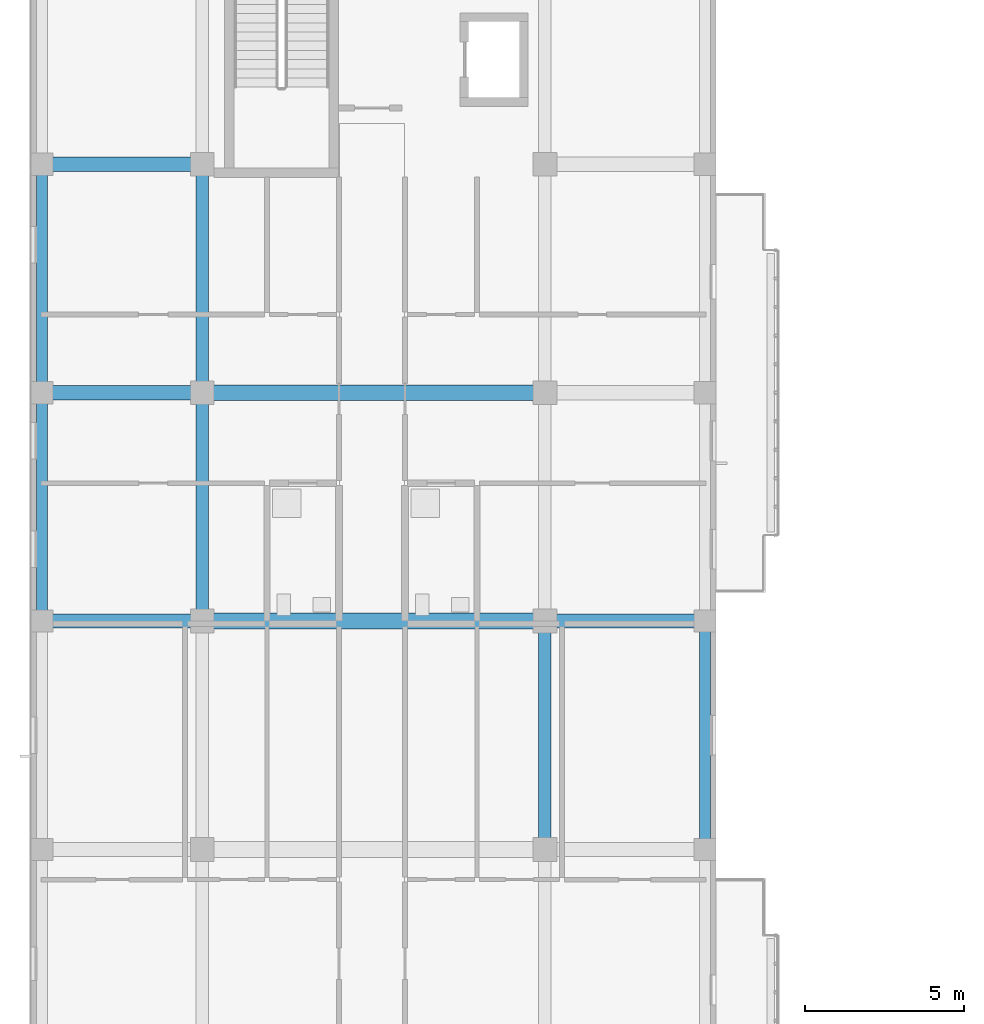
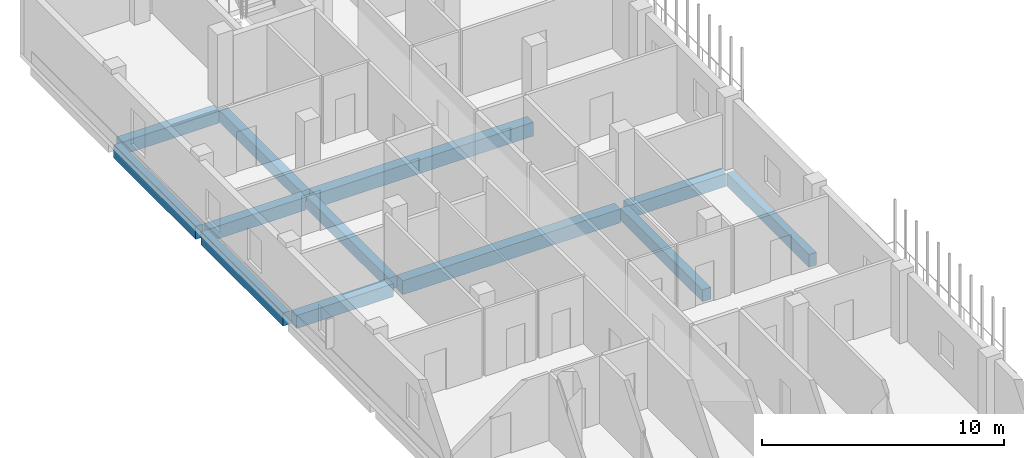
# One storey, part 17 of 73: 12 beams.
"""IFC4 building model written with IfcOpenShell, lengths in metres."""

from ifc_helpers import new_model, si_unit, derived_unit, direction, frame, origin, origin_2d, place, context, subcontext, project, spatial, rectangle, extrude, material, material_profile, profile_set, type_object, element, save


model = new_model("IFC4")

# Units and contexts
model_context = context("Model", 3, precision=1e-05, world=origin(), true_north=direction((0.0, 1.0)))
body_context = subcontext(model_context, "Body", "Model", "MODEL_VIEW")
ifc_project = project(units=[si_unit("LENGTHUNIT", "METRE"), si_unit("AREAUNIT", "SQUARE_METRE"), si_unit("VOLUMEUNIT", "CUBIC_METRE"), si_unit("PLANEANGLEUNIT", "RADIAN"), si_unit("MASSUNIT", "GRAM", prefix="KILO"), derived_unit("THERMALTRANSMITTANCEUNIT", [(si_unit("MASSUNIT", "GRAM", prefix="KILO"), 1), (si_unit("TIMEUNIT", "SECOND"), -3), (si_unit("THERMODYNAMICTEMPERATUREUNIT", "KELVIN"), -1)])], contexts=[model_context])

# Site, building, storey
site_placement = place(None, origin())
site = spatial("IfcSite", under=ifc_project, at=site_placement, CompositionType="ELEMENT")
building_placement = place(site_placement, origin())
building = spatial("IfcBuilding", under=site, at=building_placement, Name="Ochrekiln Boulevard Commons", CompositionType="ELEMENT")
storey_placement = place(building_placement, frame((0.0, 0.0, 4.89990234375)))
storey = spatial("IfcBuildingStorey", under=building, at=storey_placement, Name="L01", CompositionType="ELEMENT", Elevation=4.89990234375)

# Beams
ifc_material_1 = material(Name="Concrete C35/45", Category="concrete")
ifc_material_profile_1 = material_profile(ifc_material_1, rectangle(XDim=0.39990234375, YDim=0.60009765625, at=origin_2d()), Name="RC-BM-400x600")
ifc_profile_set_1 = profile_set([ifc_material_profile_1], Name="Concrete C35/45")
beam_type_1 = type_object("IfcBeamType", Name="BM-RC-400x600", PredefinedType="BEAM", material=ifc_profile_set_1)
beam_1_placement = place(storey_placement, frame((5.39990234375, 97.409912109375, -0.559814453125), z_axis=(0.0, 1.0, 0.0), x_axis=(-1.0, 0.0, 0.0)))
element("IfcBeam", 1, at=beam_1_placement, inside=storey, type_object=beam_type_1, Name="Block A L01 Beam B-4060 Y34", PredefinedType="BEAM", context=body_context, shape_type="SweptSolid", body=[
    extrude(rectangle(XDim=0.39990234375, YDim=0.60009765625, at=origin_2d()), origin(), (0.0, 0.0, 1.0), 6.780029296875),
])
beam_2_placement = place(storey_placement, frame((5.39990234375, 104.610107421875, -0.559814453125), z_axis=(0.0, 1.0, 0.0), x_axis=(-1.0, 0.0, 0.0)))
element("IfcBeam", 2, at=beam_2_placement, inside=storey, type_object=beam_type_1, Name="Block A L01 Beam B-4060 Y35", PredefinedType="BEAM", context=body_context, shape_type="SweptSolid", body=[
    extrude(rectangle(XDim=0.39990234375, YDim=0.60009765625, at=origin_2d()), origin(), (0.0, 0.0, 1.0), 6.77978515625),
])
beam_3_placement = place(storey_placement, frame((16.199951171875, 90.2099609375, -0.559814453125), z_axis=(0.0, 1.0, 0.0), x_axis=(-1.0, 0.0, 0.0)))
element("IfcBeam", 3, at=beam_3_placement, inside=storey, type_object=beam_type_1, Name="Block A L01 Beam B-4060 Y40", PredefinedType="BEAM", context=body_context, shape_type="SweptSolid", body=[
    extrude(rectangle(XDim=0.39990234375, YDim=0.60009765625, at=origin_2d()), origin(), (0.0, 0.0, 1.0), 6.780029296875),
])
ifc_material_profile_2 = material_profile(ifc_material_1, rectangle(XDim=0.449951171875, YDim=0.64990234375, at=origin_2d()), Name="RC-BM-450x650")
ifc_profile_set_2 = profile_set([ifc_material_profile_2], Name="Concrete C35/45")
beam_type_2 = type_object("IfcBeamType", Name="BM-RC-450x650", PredefinedType="BEAM", material=ifc_profile_set_2)
beam_4_placement = place(storey_placement, frame((0.56005859375, 97.199951171875, -0.5849609375), z_axis=(1.0, 0.0, 0.0), x_axis=(0.0, 1.0, 0.0)))
element("IfcBeam", 4, at=beam_4_placement, inside=storey, type_object=beam_type_2, Name="Block A L01 Beam B-4565 X12", PredefinedType="BEAM", context=body_context, shape_type="SweptSolid", body=[
    extrude(rectangle(XDim=0.449951171875, YDim=0.64990234375, at=origin_2d()), origin(), (0.0, 0.0, 1.0), 4.6298828125),
])
beam_5_placement = place(storey_placement, frame((16.409912109375, 97.199951171875, -0.5849609375), z_axis=(1.0, 0.0, 0.0), x_axis=(0.0, 1.0, 0.0)))
element("IfcBeam", 5, at=beam_5_placement, inside=storey, type_object=beam_type_2, Name="Block A L01 Beam B-4565 X14", PredefinedType="BEAM", context=body_context, shape_type="SweptSolid", body=[
    extrude(rectangle(XDim=0.449951171875, YDim=0.64990234375, at=origin_2d()), origin(), (0.0, 0.0, 1.0), 4.630126953125),
])
for number, where, z_axis, x_axis, name in (
    (6, (0.56005859375, 104.39990234375, -0.5849609375), (1.0, 0.0, 0.0), (0.0, 1.0, 0.0), "Block A L01 Beam B-4565 X15"),
    (7, (0.56005859375, 111.60009765625, -0.5849609375), (1.0, 0.0, 0.0), (0.0, 1.0, 0.0), "Block A L01 Beam B-4565 X18"),
):
    element("IfcBeam", number, at=place(storey_placement, frame(where, z_axis=z_axis, x_axis=x_axis)), inside=storey, type_object=beam_type_2, Name=name, PredefinedType="BEAM", context=body_context, shape_type="SweptSolid", body=[
        extrude(rectangle(XDim=0.449951171875, YDim=0.64990234375, at=origin_2d()), origin(), (0.0, 0.0, 1.0), 4.6298828125),
    ])
ifc_material_2 = material(Name="Concrete C40/50", Category="concrete")
ifc_material_profile_3 = material_profile(ifc_material_2, rectangle(XDim=0.5, YDim=0.699951171875, at=origin_2d()), Name="RC-BM-500x700")
ifc_profile_set_3 = profile_set([ifc_material_profile_3], Name="Concrete C40/50")
beam_type_3 = type_object("IfcBeamType", Name="BM-RC-500x700", PredefinedType="BEAM", material=ifc_profile_set_3)
for number, where, z_axis, x_axis, name in (
    (8, (5.610107421875, 97.199951171875, -0.60986328125), (1.0, 0.0, 0.0), (0.0, 1.0, 0.0), "Block A L01 Beam B-5070 X13"),
    (9, (5.610107421875, 104.39990234375, -0.60986328125), (1.0, 0.0, 0.0), (0.0, 1.0, 0.0), "Block A L01 Beam B-5070 X16"),
):
    element("IfcBeam", number, at=place(storey_placement, frame(where, z_axis=z_axis, x_axis=x_axis)), inside=storey, type_object=beam_type_3, Name=name, PredefinedType="BEAM", context=body_context, shape_type="SweptSolid", body=[
        extrude(rectangle(XDim=0.5, YDim=0.699951171875, at=origin_2d()), origin(), (0.0, 0.0, 1.0), 10.3798828125),
    ])
ifc_material_profile_4 = material_profile(ifc_material_2, rectangle(XDim=0.35009765625, YDim=0.64990234375, at=origin_2d()), Name="RC-SPN-350x650")
ifc_profile_set_4 = profile_set([ifc_material_profile_4], Name="Concrete C40/50")
beam_type_4 = type_object("IfcBeamType", Name="SPN-RC-350x650", PredefinedType="SPANDREL", material=ifc_profile_set_4)
beam_6_placement = place(storey_placement, frame((0.35009765625, 97.409912109375, -0.5849609375), z_axis=(0.0, 1.0, 0.0), x_axis=(-1.0, 0.0, 0.0)))
element("IfcBeam", 10, at=beam_6_placement, inside=storey, type_object=beam_type_4, Name="Block A L01 Beam SP-3565 Y27", PredefinedType="SPANDREL", context=body_context, shape_type="SweptSolid", body=[
    extrude(rectangle(XDim=0.35009765625, YDim=0.64990234375, at=origin_2d()), origin(), (0.0, 0.0, 1.0), 6.780029296875),
])
beam_7_placement = place(storey_placement, frame((0.35009765625, 104.610107421875, -0.5849609375), z_axis=(0.0, 1.0, 0.0), x_axis=(-1.0, 0.0, 0.0)))
element("IfcBeam", 11, at=beam_7_placement, inside=storey, type_object=beam_type_4, Name="Block A L01 Beam SP-3565 Y28", PredefinedType="SPANDREL", context=body_context, shape_type="SweptSolid", body=[
    extrude(rectangle(XDim=0.35009765625, YDim=0.64990234375, at=origin_2d()), origin(), (0.0, 0.0, 1.0), 6.77978515625),
])
beam_8_placement = place(storey_placement, frame((21.25, 90.2099609375, -0.5849609375), z_axis=(0.0, 1.0, 0.0), x_axis=(-1.0, 0.0, 0.0)))
element("IfcBeam", 12, at=beam_8_placement, inside=storey, type_object=beam_type_4, Name="Block A L01 Beam SP-3565 Y47", PredefinedType="SPANDREL", context=body_context, shape_type="SweptSolid", body=[
    extrude(rectangle(XDim=0.35009765625, YDim=0.64990234375, at=origin_2d()), origin(), (0.0, 0.0, 1.0), 6.780029296875),
])

save(model, "model.ifc")
